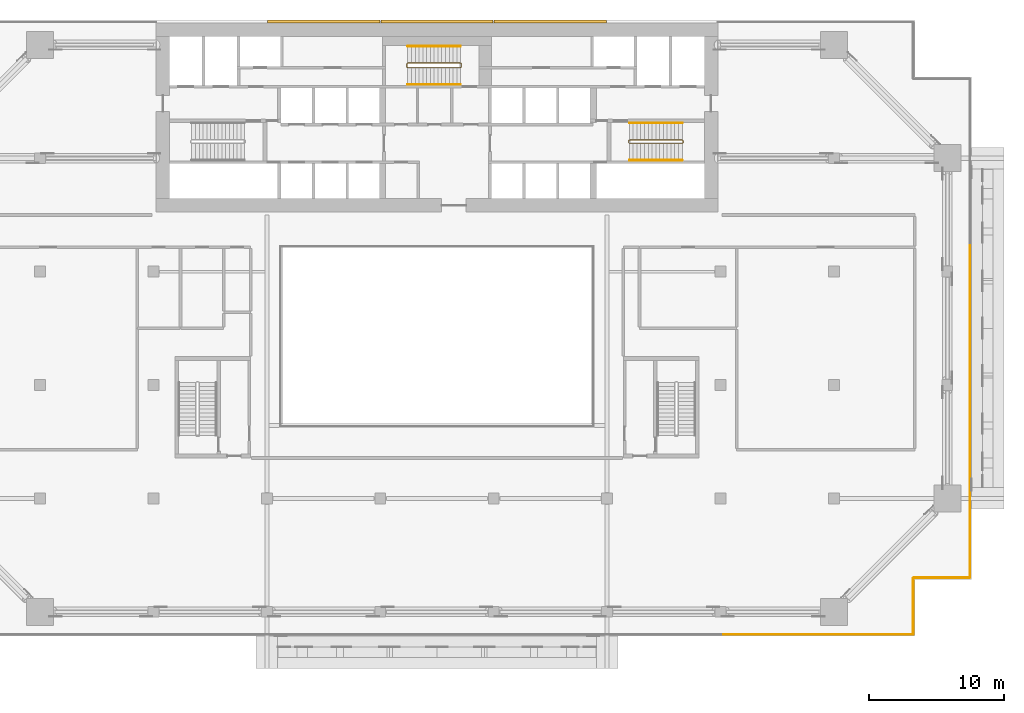
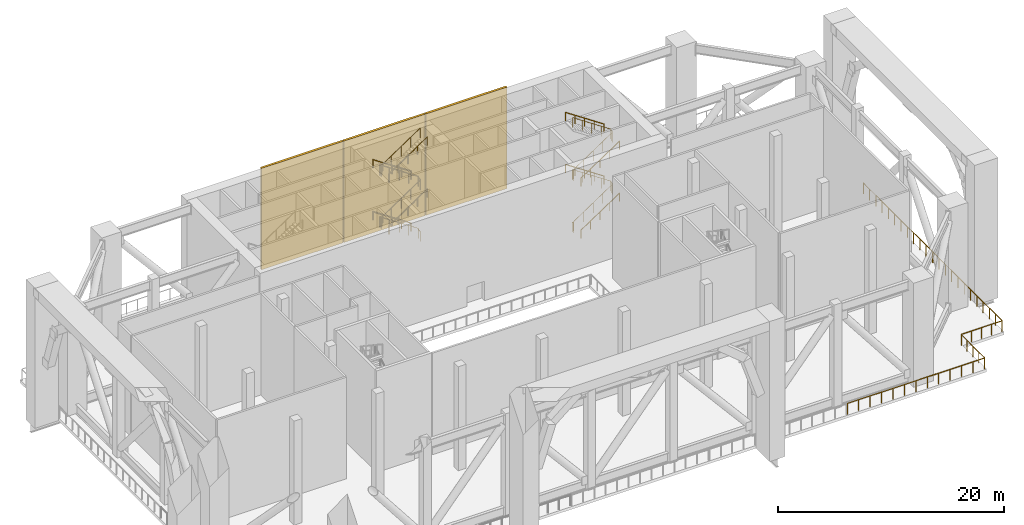
# One storey, part 18 of 19: 15 railings, 3 coverings.
"""IFC4 building model written with IfcOpenShell, lengths in metres."""

import ifcopenshell
import ifcopenshell.guid

model = None  # the IFC model being written
_history = None  # IfcOwnerHistory: only IFC2X3 demands one
_inside = {}  # id of a spatial element -> (the spatial element, [elements in it])
_under = {}  # id of a project, library or spatial element -> (it, [spatial elements below it])
_declared = {}  # id of a project -> (the project, [libraries it declares])
_typed = {}  # id of a type object -> (the type object, [elements of that type])
_made_of = {}  # id of a material, layer set ... -> (it, [elements and type objects made of it])


def new_model(schema):
    """Start an empty IFC model of exactly this schema.

    Asked for "IFC4X3", IfcOpenShell would pick the latest addendum, in which some entities
    have other attributes; the version numbers below select the first issue.
    IFC2X3 requires an IfcOwnerHistory on every rooted entity: one is made here for all.
    """
    global model, _history
    if schema == "IFC4X3":
        model = ifcopenshell.file(schema_version=(4, 3, 0, 0))
    else:
        model = ifcopenshell.file(schema=schema)
    _inside.clear()
    _under.clear()
    _declared.clear()
    _typed.clear()
    _made_of.clear()
    _history = None
    if model.schema == "IFC2X3":
        org = make("IfcOrganization", Name="unknown")
        user = make(
            "IfcPersonAndOrganization",
            ThePerson=make("IfcPerson", FamilyName="unknown"),
            TheOrganization=org,
        )
        app = make(
            "IfcApplication",
            ApplicationDeveloper=org,
            Version="unknown",
            ApplicationFullName="unknown",
            ApplicationIdentifier="unknown",
        )
        _history = make(
            "IfcOwnerHistory",
            OwningUser=user,
            OwningApplication=app,
            ChangeAction="ADDED",
            CreationDate=0,
        )
    return model


def make(cls, **values):
    """One entity of the class cls with the attributes given. An attribute that is None is left unset."""
    return model.create_entity(
        cls, **{name: value for name, value in values.items() if value is not None}
    )


def rooted(cls, **values):
    """An entity with a GlobalId (a new one), such as an element, a storey or a relation."""
    return make(cls, GlobalId=ifcopenshell.guid.new(), OwnerHistory=_history, **values)


def si_unit(unit_type, name, prefix=None):
    """IfcSIUnit, for example si_unit("LENGTHUNIT", "METRE", prefix="MILLI")."""
    return make("IfcSIUnit", UnitType=unit_type, Prefix=prefix, Name=name)


def assignment(units):
    """IfcUnitAssignment: the units of a project."""
    return None if units is None else make("IfcUnitAssignment", Units=units)


def point(xyz):
    """IfcCartesianPoint."""
    return None if xyz is None else make("IfcCartesianPoint", Coordinates=xyz)


def direction(xyz):
    """IfcDirection."""
    return None if xyz is None else make("IfcDirection", DirectionRatios=xyz)


def frame(location, z_axis=None, x_axis=None):
    """IfcAxis2Placement3D, a coordinate frame: its origin and axes. An axis left out is left unset."""
    return make(
        "IfcAxis2Placement3D",
        Location=point(location),
        Axis=direction(z_axis),
        RefDirection=direction(x_axis),
    )


def frame_2d(location, x_axis=None):
    """IfcAxis2Placement2D, a coordinate frame in the plane: its origin and x axis."""
    return make(
        "IfcAxis2Placement2D", Location=point(location), RefDirection=direction(x_axis)
    )


def origin():
    """The frame at (0, 0, 0) with its axes left unset."""
    return frame((0.0, 0.0, 0.0))


def origin_2d():
    """The frame at (0, 0) in the plane with its x axis left unset."""
    return frame_2d((0.0, 0.0))


def place(relative_to, where):
    """IfcLocalPlacement: puts the frame where relative to a parent placement (None: the world)."""
    return make(
        "IfcLocalPlacement", PlacementRelTo=relative_to, RelativePlacement=where
    )


def context(
    kind, dimensions, precision=None, world=None, true_north=None, identifier=None
):
    """IfcGeometricRepresentationContext, for example the 3D "Model" context."""
    return make(
        "IfcGeometricRepresentationContext",
        ContextIdentifier=identifier,
        ContextType=kind,
        CoordinateSpaceDimension=dimensions,
        Precision=precision,
        WorldCoordinateSystem=world,
        TrueNorth=true_north,
    )


def subcontext(parent, identifier, kind, view, scale=None):
    """IfcGeometricRepresentationSubContext, for example "Body" below "Model"."""
    return make(
        "IfcGeometricRepresentationSubContext",
        ContextIdentifier=identifier,
        ContextType=kind,
        ParentContext=parent,
        TargetScale=scale,
        TargetView=view,
    )


def project(units=None, contexts=None):
    """IfcProject with its units and contexts."""
    return rooted(
        "IfcProject",
        Name="project",
        RepresentationContexts=contexts,
        UnitsInContext=assignment(units),
    )


def spatial(cls, under=None, at=None, **own):
    """A site, building, storey or space (cls), placed at a placement, below another one or the project."""
    s = rooted(cls, ObjectPlacement=at, **own)
    if under is not None:
        _under.setdefault(under.id(), (under, []))[1].append(s)
    return s


def polyline(points):
    """IfcPolyline through the points."""
    return make("IfcPolyline", Points=[point(p) for p in points])


def profile(cls, at=None, kind="AREA", **sizes):
    """A parametric profile (cls). Its sizes go by their IFC names, for example OverallWidth=200.0."""
    return make(cls, ProfileType=kind, Position=at, **sizes)


def circle(**sizes):
    """IfcCircleProfileDef."""
    return profile("IfcCircleProfileDef", **sizes)


def outline(outer, holes=None, kind="AREA"):
    """IfcArbitraryClosedProfileDef: a profile drawn as a closed curve; with holes, ...WithVoids."""
    if holes is None:
        return make("IfcArbitraryClosedProfileDef", ProfileType=kind, OuterCurve=outer)
    return make(
        "IfcArbitraryProfileDefWithVoids",
        ProfileType=kind,
        OuterCurve=outer,
        InnerCurves=holes,
    )


def extrude(swept, where, along, depth):
    """IfcExtrudedAreaSolid: the profile swept, set in the frame where, extruded along a direction by depth."""
    return make(
        "IfcExtrudedAreaSolid",
        SweptArea=swept,
        Position=where,
        ExtrudedDirection=direction(along),
        Depth=depth,
    )


def shape(context_of_items, identifier, shape_type, items):
    """IfcShapeRepresentation: the items that make up one representation, for example the "Body"."""
    return make(
        "IfcShapeRepresentation",
        ContextOfItems=context_of_items,
        RepresentationIdentifier=identifier,
        RepresentationType=shape_type,
        Items=items,
    )


def material(Name=None, Category=None):
    """IfcMaterial."""
    return make("IfcMaterial", Name=Name, Category=Category)


def layer(
    of_material, thickness, ventilated=None, Name=None, Category=None, Priority=None
):
    """IfcMaterialLayer: one layer of a wall or slab, of a material (None: an air gap)."""
    return make(
        "IfcMaterialLayer",
        Material=of_material,
        LayerThickness=thickness,
        IsVentilated=ventilated,
        Name=Name,
        Category=Category,
        Priority=Priority,
    )


def layer_set(layers, Name=None):
    """IfcMaterialLayerSet."""
    return make("IfcMaterialLayerSet", MaterialLayers=layers, LayerSetName=Name)


def made_of(thing, what):
    """Note that an element or type object is made of a material, layer set ...; save() writes the relation."""
    if what is not None:
        _made_of.setdefault(what.id(), (what, []))[1].append(thing)
    return thing


def type_object(cls, material=None, **own):
    """A type object (cls), such as IfcWallType, which elements share."""
    return made_of(rooted(cls, **own), material)


def element(
    cls,
    number,
    at=None,
    inside=None,
    cuts=None,
    type_object=None,
    material=None,
    context=None,
    identifier="Body",
    shape_type=None,
    held_by="IfcProductDefinitionShape",
    body=None,
    shapes=None,
    **own,
):
    """One element of the class cls, such as IfcWall. Its Tag is "e" and its number.

    at: its placement. inside: the storey or other place that contains it. cuts: it is an
    opening in that element (IfcRelVoidsElement). A single representation is given by context,
    identifier, shape_type and body (its items); several are given by shapes. held_by: the class
    of the entity that holds the representations. save() writes the other relations.
    """
    e = rooted(cls, Tag="e%d" % number, ObjectPlacement=at, **own)
    if body is not None:
        shapes = [shape(context, identifier, shape_type, body)]
    if shapes is not None:
        e.Representation = make(held_by, Representations=shapes)
    if inside is not None:
        _inside.setdefault(inside.id(), (inside, []))[1].append(e)
    if cuts is not None:
        rooted(
            "IfcRelVoidsElement", RelatingBuildingElement=cuts, RelatedOpeningElement=e
        )
    if type_object is not None:
        _typed.setdefault(type_object.id(), (type_object, []))[1].append(e)
    return made_of(e, material)


def aggregate(whole, parts):
    """IfcRelAggregates: a whole, such as a stair, and the parts it consists of."""
    return rooted("IfcRelAggregates", RelatingObject=whole, RelatedObjects=parts)


def save(model, path):
    """Write the relations noted so far, then the file.

    IfcRelAggregates (storeys below a building ...), IfcRelContainedInSpatialStructure (elements
    in a storey), IfcRelDefinesByType, IfcRelAssociatesMaterial and IfcRelDeclares: one each for
    every whole, place, type object, material and project.
    """
    for whole, parts in _under.values():
        aggregate(whole, parts)
    for where, things in _inside.values():
        rooted(
            "IfcRelContainedInSpatialStructure",
            RelatedElements=things,
            RelatingStructure=where,
        )
    for kind, things in _typed.values():
        rooted("IfcRelDefinesByType", RelatedObjects=things, RelatingType=kind)
    for what, things in _made_of.values():
        rooted("IfcRelAssociatesMaterial", RelatedObjects=things, RelatingMaterial=what)
    for by, libraries in _declared.values():
        rooted("IfcRelDeclares", RelatingContext=by, RelatedDefinitions=libraries)
    model.write(path)


model = new_model("IFC4")

# Units and contexts
model_context = context("Model", 3, precision=1e-05, world=origin(), true_north=direction((0.0, 1.0)))
body_context = subcontext(model_context, "Body", "Model", "MODEL_VIEW")
ifc_project = project(units=[si_unit("LENGTHUNIT", "METRE"), si_unit("AREAUNIT", "SQUARE_METRE"), si_unit("VOLUMEUNIT", "CUBIC_METRE"), si_unit("PLANEANGLEUNIT", "RADIAN"), si_unit("MASSUNIT", "GRAM", prefix="KILO")], contexts=[model_context])

# Site, building, storey
site_placement = place(None, origin())
site = spatial("IfcSite", under=ifc_project, at=site_placement, CompositionType="ELEMENT")
building_placement = place(site_placement, origin())
building = spatial("IfcBuilding", under=site, at=building_placement, Name="Saffron Gate Tower", CompositionType="ELEMENT")
storey_placement = place(building_placement, frame((0.0, 0.0, 84.0)))
storey = spatial("IfcBuildingStorey", under=building, at=storey_placement, Name="L20", CompositionType="ELEMENT", Elevation=84.0)

# Railings
ifc_material_1 = material(Name="Stainless steel posts and toughened glass infill", Category="steel")
railing_type_1 = type_object("IfcRailingType", Name="BAL1 balustrade 1200", PredefinedType="BALUSTRADE", material=ifc_material_1)
railing_1_placement = place(storey_placement, frame((108.80810546875, 30.1201171875, 0.0)))
element("IfcRailing", 1, at=railing_1_placement, inside=storey, type_object=railing_type_1, Name="GUARD portal deck edge", PredefinedType="BALUSTRADE", context=body_context, shape_type="SweptSolid", body=[
    extrude(circle(Radius=0.02392578125, at=origin_2d()), frame((0.0, 0.0, 1.17578125), z_axis=(1.0, 0.0, 0.0), x_axis=(0.0, 1.0, 0.0)), (0.0, 0.0, 1.0), 14.031982421875),
    extrude(circle(Radius=0.02099609375, at=origin_2d()), origin(), (0.0, 0.0, 1.0), 1.15185546875),
    extrude(circle(Radius=0.02099609375, at=origin_2d()), frame((1.16943359375, 0.0, 0.0)), (0.0, 0.0, 1.0), 1.15185546875),
    extrude(circle(Radius=0.02099609375, at=origin_2d()), frame((2.338623046875, 0.0, 0.0)), (0.0, 0.0, 1.0), 1.15185546875),
    extrude(circle(Radius=0.02099609375, at=origin_2d()), frame((3.508056640625, 0.0, 0.0)), (0.0, 0.0, 1.0), 1.15185546875),
    extrude(circle(Radius=0.02099609375, at=origin_2d()), frame((4.67724609375, 0.0, 0.0)), (0.0, 0.0, 1.0), 1.15185546875),
    extrude(circle(Radius=0.02099609375, at=origin_2d()), frame((5.8466796875, 0.0, 0.0)), (0.0, 0.0, 1.0), 1.15185546875),
    extrude(circle(Radius=0.02099609375, at=origin_2d()), frame((7.01611328125, 0.0, 0.0)), (0.0, 0.0, 1.0), 1.15185546875),
    extrude(circle(Radius=0.02099609375, at=origin_2d()), frame((8.185302734375, 0.0, 0.0)), (0.0, 0.0, 1.0), 1.15185546875),
    extrude(circle(Radius=0.02099609375, at=origin_2d()), frame((9.354736328125, 0.0, 0.0)), (0.0, 0.0, 1.0), 1.15185546875),
    extrude(circle(Radius=0.02099609375, at=origin_2d()), frame((10.52392578125, 0.0, 0.0)), (0.0, 0.0, 1.0), 1.15185546875),
    extrude(circle(Radius=0.02099609375, at=origin_2d()), frame((11.693359375, 0.0, 0.0)), (0.0, 0.0, 1.0), 1.15185546875),
    extrude(circle(Radius=0.02099609375, at=origin_2d()), frame((12.862548828125, 0.0, 0.0)), (0.0, 0.0, 1.0), 1.15185546875),
    extrude(circle(Radius=0.02099609375, at=origin_2d()), frame((14.031982421875, 0.0, 0.0)), (0.0, 0.0, 1.0), 1.15185546875),
])
railing_2_placement = place(storey_placement, frame((122.8798828125, 30.159912109375, 0.0)))
element("IfcRailing", 2, at=railing_2_placement, inside=storey, type_object=railing_type_1, Name="GUARD portal deck edge", PredefinedType="BALUSTRADE", context=body_context, shape_type="SweptSolid", body=[
    extrude(circle(Radius=0.02392578125, at=origin_2d()), frame((0.0, 0.0, 1.17578125), z_axis=(0.0, 1.0, 0.0), x_axis=(-1.0, 0.0, 0.0)), (0.0, 0.0, 1.0), 4.1201171875),
    extrude(circle(Radius=0.02099609375, at=origin_2d()), origin(), (0.0, 0.0, 1.0), 1.15185546875),
    extrude(circle(Radius=0.02099609375, at=origin_2d()), frame((0.0, 1.030029296875, 0.0)), (0.0, 0.0, 1.0), 1.15185546875),
    extrude(circle(Radius=0.02099609375, at=origin_2d()), frame((0.0, 2.06005859375, 0.0)), (0.0, 0.0, 1.0), 1.15185546875),
    extrude(circle(Radius=0.02099609375, at=origin_2d()), frame((0.0, 3.090087890625, 0.0)), (0.0, 0.0, 1.0), 1.15185546875),
    extrude(circle(Radius=0.02099609375, at=origin_2d()), frame((0.0, 4.1201171875, 0.0)), (0.0, 0.0, 1.0), 1.15185546875),
])
railing_3_placement = place(storey_placement, frame((122.919921875, 34.320068359375, 0.0)))
element("IfcRailing", 3, at=railing_3_placement, inside=storey, type_object=railing_type_1, Name="GUARD portal deck edge", PredefinedType="BALUSTRADE", context=body_context, shape_type="SweptSolid", body=[
    extrude(circle(Radius=0.02392578125, at=origin_2d()), frame((0.0, 0.0, 1.17578125), z_axis=(1.0, 0.0, 0.0), x_axis=(0.0, 1.0, 0.0)), (0.0, 0.0, 1.0), 4.1201171875),
    extrude(circle(Radius=0.02099609375, at=origin_2d()), origin(), (0.0, 0.0, 1.0), 1.15185546875),
    extrude(circle(Radius=0.02099609375, at=origin_2d()), frame((1.030029296875, 0.0, 0.0)), (0.0, 0.0, 1.0), 1.15185546875),
    extrude(circle(Radius=0.02099609375, at=origin_2d()), frame((2.06005859375, 0.0, 0.0)), (0.0, 0.0, 1.0), 1.15185546875),
    extrude(circle(Radius=0.02099609375, at=origin_2d()), frame((3.090087890625, 0.0, 0.0)), (0.0, 0.0, 1.0), 1.15185546875),
    extrude(circle(Radius=0.02099609375, at=origin_2d()), frame((4.1201171875, 0.0, 0.0)), (0.0, 0.0, 1.0), 1.15185546875),
])
for number, where, name in (
    (4, (127.080078125, 34.360107421875, 0.0), "GUARD portal deck edge"),
    (5, (127.080078125, 46.679931640625, 0.0), "GUARD portal deck edge"),
):
    element("IfcRailing", number, at=place(storey_placement, frame(where)), inside=storey, type_object=railing_type_1, Name=name, PredefinedType="BALUSTRADE", context=body_context, shape_type="SweptSolid", body=[
        extrude(circle(Radius=0.02392578125, at=origin_2d()), frame((0.0, 0.0, 1.17578125), z_axis=(0.0, 1.0, 0.0), x_axis=(-1.0, 0.0, 0.0)), (0.0, 0.0, 1.0), 12.239990234375),
        extrude(circle(Radius=0.02099609375, at=origin_2d()), origin(), (0.0, 0.0, 1.0), 1.15185546875),
        extrude(circle(Radius=0.02099609375, at=origin_2d()), frame((0.0, 1.11279296875, 0.0)), (0.0, 0.0, 1.0), 1.15185546875),
        extrude(circle(Radius=0.02099609375, at=origin_2d()), frame((0.0, 2.225341796875, 0.0)), (0.0, 0.0, 1.0), 1.15185546875),
        extrude(circle(Radius=0.02099609375, at=origin_2d()), frame((0.0, 3.338134765625, 0.0)), (0.0, 0.0, 1.0), 1.15185546875),
        extrude(circle(Radius=0.02099609375, at=origin_2d()), frame((0.0, 4.450927734375, 0.0)), (0.0, 0.0, 1.0), 1.15185546875),
        extrude(circle(Radius=0.02099609375, at=origin_2d()), frame((0.0, 5.563720703125, 0.0)), (0.0, 0.0, 1.0), 1.15185546875),
        extrude(circle(Radius=0.02099609375, at=origin_2d()), frame((0.0, 6.67626953125, 0.0)), (0.0, 0.0, 1.0), 1.15185546875),
        extrude(circle(Radius=0.02099609375, at=origin_2d()), frame((0.0, 7.7890625, 0.0)), (0.0, 0.0, 1.0), 1.15185546875),
        extrude(circle(Radius=0.02099609375, at=origin_2d()), frame((0.0, 8.90185546875, 0.0)), (0.0, 0.0, 1.0), 1.15185546875),
        extrude(circle(Radius=0.02099609375, at=origin_2d()), frame((0.0, 10.0146484375, 0.0)), (0.0, 0.0, 1.0), 1.15185546875),
        extrude(circle(Radius=0.02099609375, at=origin_2d()), frame((0.0, 11.127197265625, 0.0)), (0.0, 0.0, 1.0), 1.15185546875),
        extrude(circle(Radius=0.02099609375, at=origin_2d()), frame((0.0, 12.239990234375, 0.0)), (0.0, 0.0, 1.0), 1.15185546875),
    ])

# Coverings
ifc_material_2 = material(Name="Ceramic-printed bronze insulated panel")
ifc_layer = layer(ifc_material_2, 0.239990234375)
ifc_layer_set = layer_set([ifc_layer], Name="CLD2 ceramic-printed cladding panel 240")
covering_type = type_object("IfcCoveringType", Name="CLD2 ceramic-printed cladding panel 240", PredefinedType="CLADDING", material=ifc_layer_set)
covering_1_placement = place(storey_placement, origin())
element("IfcCovering", 6, at=covering_1_placement, inside=storey, type_object=covering_type, Name="CLADDING ceramic-printed panel", PredefinedType="CLADDING", context=body_context, shape_type="SweptSolid", body=[
    extrude(outline(polyline([(100.159912109375, 75.639892578125), (91.840087890625, 75.639892578125), (91.840087890625, 75.39990234375), (100.159912109375, 75.39990234375), (100.159912109375, 75.639892578125)])), origin(), (0.0, 0.0, 1.0), 10.969970703125),
])
covering_2_placement = place(storey_placement, origin())
element("IfcCovering", 7, at=covering_2_placement, inside=storey, type_object=covering_type, Name="CLADDING ceramic-printed panel", PredefinedType="CLADDING", context=body_context, shape_type="SweptSolid", body=[
    extrude(outline(polyline([(91.760009765625, 75.639892578125), (83.43994140625, 75.639892578125), (83.43994140625, 75.39990234375), (91.760009765625, 75.39990234375), (91.760009765625, 75.639892578125)])), origin(), (0.0, 0.0, 1.0), 10.969970703125),
])
covering_3_placement = place(storey_placement, origin())
element("IfcCovering", 8, at=covering_3_placement, inside=storey, type_object=covering_type, Name="CLADDING ceramic-printed panel", PredefinedType="CLADDING", context=body_context, shape_type="SweptSolid", body=[
    extrude(outline(polyline([(83.360107421875, 75.639892578125), (75.0400390625, 75.639892578125), (75.0400390625, 75.39990234375), (83.360107421875, 75.39990234375), (83.360107421875, 75.639892578125)])), origin(), (0.0, 0.0, 1.0), 10.969970703125),
])

# Railings
ifc_material_3 = material(Name="Stainless steel and laminated glass", Category="steel")
railing_type_2 = type_object("IfcRailingType", Name="CR1 Stair guard 1100", PredefinedType="GUARDRAIL", material=ifc_material_3)
railing_4_placement = place(storey_placement, frame((101.800048828125, 66.699951171875, 0.0)))
element("IfcRailing", 9, at=railing_4_placement, inside=storey, type_object=railing_type_2, Name="L20 ST-B stair guard 1", PredefinedType="GUARDRAIL", context=body_context, shape_type="SweptSolid", body=[
    extrude(circle(Radius=0.02392578125, at=origin_2d()), frame((0.0, 0.0, 1.076171875), z_axis=(0.0, -1.0, 0.0), x_axis=(1.0, 0.0, 0.0)), (0.0, 0.0, 1.0), 0.14990234375),
    extrude(circle(Radius=0.02392578125, at=origin_2d()), frame((0.0, -0.14990234375, 1.076171875), z_axis=(0.249726431254, -0.249726431254, 0.935560483917), x_axis=(0.707106781187, 0.707106781187, 0.0)), (0.0, 0.0, 1.0), 0.200439453125),
    extrude(circle(Radius=0.02392578125, at=origin_2d()), frame((0.050048828125, -0.199951171875, 1.263671875), z_axis=(0.830902050051, 0.0, 0.556418712142), x_axis=(0.0, 1.0, 0.0)), (0.0, 0.0, 1.0), 4.7177734375),
    extrude(circle(Radius=0.02392578125, at=origin_2d()), frame((3.969970703125, -0.199951171875, 3.888671875), z_axis=(0.707106781187, 0.707106781187, 0.0), x_axis=(-0.707106781187, 0.707106781187, 0.0)), (0.0, 0.0, 1.0), 0.07080078125),
    extrude(circle(Radius=0.02392578125, at=origin_2d()), frame((4.02001953125, -0.14990234375, 3.888671875), z_axis=(0.0, 1.0, 0.0), x_axis=(-1.0, 0.0, 0.0)), (0.0, 0.0, 1.0), 0.14990234375),
    extrude(circle(Radius=0.02392578125, at=origin_2d()), frame((4.02001953125, 0.0, 3.888671875), z_axis=(-0.249726431254, 0.249726431254, 0.935560483917), x_axis=(-0.707106781187, -0.707106781187, 0.0)), (0.0, 0.0, 1.0), 0.200439453125),
    extrude(circle(Radius=0.02392578125, at=origin_2d()), frame((3.969970703125, 0.050048828125, 4.076171875), z_axis=(-0.830902050051, 0.0, 0.556418712142), x_axis=(0.0, -1.0, 0.0)), (0.0, 0.0, 1.0), 4.7177734375),
    extrude(circle(Radius=0.02392578125, at=origin_2d()), frame((0.050048828125, 0.050048828125, 6.701171875), z_axis=(-0.707106781187, -0.707106781187, 0.0), x_axis=(0.707106781187, -0.707106781187, 0.0)), (0.0, 0.0, 1.0), 0.07080078125),
    extrude(circle(Radius=0.02392578125, at=origin_2d()), frame((0.0, 0.0, 6.701171875), z_axis=(0.0, -1.0, 0.0), x_axis=(1.0, 0.0, 0.0)), (0.0, 0.0, 1.0), 0.14990234375),
    extrude(circle(Radius=0.02392578125, at=origin_2d()), frame((0.0, -0.14990234375, 6.701171875), z_axis=(0.249726431254, -0.249726431254, 0.935560483917), x_axis=(0.707106781187, 0.707106781187, 0.0)), (0.0, 0.0, 1.0), 0.200439453125),
    extrude(circle(Radius=0.02392578125, at=origin_2d()), frame((0.050048828125, -0.199951171875, 6.888671875), z_axis=(0.830902050051, 0.0, 0.556418712142), x_axis=(0.0, 1.0, 0.0)), (0.0, 0.0, 1.0), 4.7177734375),
    extrude(circle(Radius=0.02392578125, at=origin_2d()), frame((3.969970703125, -0.199951171875, 9.513671875), z_axis=(0.707106781187, 0.707106781187, 0.0), x_axis=(-0.707106781187, 0.707106781187, 0.0)), (0.0, 0.0, 1.0), 0.07080078125),
    extrude(circle(Radius=0.02392578125, at=origin_2d()), frame((4.02001953125, -0.14990234375, 9.513671875), z_axis=(0.0, 1.0, 0.0), x_axis=(-1.0, 0.0, 0.0)), (0.0, 0.0, 1.0), 0.14990234375),
    extrude(circle(Radius=0.02392578125, at=origin_2d()), frame((4.02001953125, 0.0, 9.513671875), z_axis=(-0.249726431254, 0.249726431254, 0.935560483917), x_axis=(-0.707106781187, -0.707106781187, 0.0)), (0.0, 0.0, 1.0), 0.200439453125),
    extrude(circle(Radius=0.02392578125, at=origin_2d()), frame((3.969970703125, 0.050048828125, 9.701171875), z_axis=(-0.830902050051, 0.0, 0.556418712142), x_axis=(0.0, -1.0, 0.0)), (0.0, 0.0, 1.0), 4.7177734375),
    extrude(circle(Radius=0.02099609375, at=origin_2d()), origin(), (0.0, 0.0, 1.0), 1.052001953125),
    extrude(circle(Radius=0.02099609375, at=origin_2d()), frame((0.0, -0.14990234375, 0.0)), (0.0, 0.0, 1.0), 1.052001953125),
    extrude(circle(Radius=0.02099609375, at=origin_2d()), frame((0.050048828125, -0.199951171875, 0.1875)), (0.0, 0.0, 1.0), 1.052001953125),
    extrude(circle(Radius=0.02099609375, at=origin_2d()), frame((1.030029296875, -0.199951171875, 0.84375)), (0.0, 0.0, 1.0), 1.052001953125),
    extrude(circle(Radius=0.02099609375, at=origin_2d()), frame((2.010009765625, -0.199951171875, 1.5)), (0.0, 0.0, 1.0), 1.052001953125),
    extrude(circle(Radius=0.02099609375, at=origin_2d()), frame((2.989990234375, -0.199951171875, 2.15625)), (0.0, 0.0, 1.0), 1.052001953125),
    extrude(circle(Radius=0.02099609375, at=origin_2d()), frame((3.969970703125, -0.199951171875, 2.8125)), (0.0, 0.0, 1.0), 1.052001953125),
    extrude(circle(Radius=0.02099609375, at=origin_2d()), frame((4.02001953125, -0.14990234375, 2.8125)), (0.0, 0.0, 1.0), 1.052001953125),
    extrude(circle(Radius=0.02099609375, at=origin_2d()), frame((4.02001953125, 0.0, 2.8125)), (0.0, 0.0, 1.0), 1.052001953125),
    extrude(circle(Radius=0.02099609375, at=origin_2d()), frame((3.969970703125, 0.050048828125, 3.0)), (0.0, 0.0, 1.0), 1.052001953125),
    extrude(circle(Radius=0.02099609375, at=origin_2d()), frame((2.989990234375, 0.050048828125, 3.65625)), (0.0, 0.0, 1.0), 1.052001953125),
    extrude(circle(Radius=0.02099609375, at=origin_2d()), frame((2.010009765625, 0.050048828125, 4.3125)), (0.0, 0.0, 1.0), 1.052001953125),
    extrude(circle(Radius=0.02099609375, at=origin_2d()), frame((1.030029296875, 0.050048828125, 4.96875)), (0.0, 0.0, 1.0), 1.052001953125),
    extrude(circle(Radius=0.02099609375, at=origin_2d()), frame((0.050048828125, 0.050048828125, 5.625)), (0.0, 0.0, 1.0), 1.052001953125),
    extrude(circle(Radius=0.02099609375, at=origin_2d()), frame((0.0, 0.0, 5.625)), (0.0, 0.0, 1.0), 1.052001953125),
    extrude(circle(Radius=0.02099609375, at=origin_2d()), frame((0.0, -0.14990234375, 5.625)), (0.0, 0.0, 1.0), 1.052001953125),
    extrude(circle(Radius=0.02099609375, at=origin_2d()), frame((0.050048828125, -0.199951171875, 5.8125)), (0.0, 0.0, 1.0), 1.052001953125),
    extrude(circle(Radius=0.02099609375, at=origin_2d()), frame((1.030029296875, -0.199951171875, 6.46875)), (0.0, 0.0, 1.0), 1.052001953125),
    extrude(circle(Radius=0.02099609375, at=origin_2d()), frame((2.010009765625, -0.199951171875, 7.125)), (0.0, 0.0, 1.0), 1.052001953125),
    extrude(circle(Radius=0.02099609375, at=origin_2d()), frame((2.989990234375, -0.199951171875, 7.78125)), (0.0, 0.0, 1.0), 1.052001953125),
    extrude(circle(Radius=0.02099609375, at=origin_2d()), frame((3.969970703125, -0.199951171875, 8.4375)), (0.0, 0.0, 1.0), 1.052001953125),
    extrude(circle(Radius=0.02099609375, at=origin_2d()), frame((4.02001953125, -0.14990234375, 8.4375)), (0.0, 0.0, 1.0), 1.052001953125),
    extrude(circle(Radius=0.02099609375, at=origin_2d()), frame((4.02001953125, 0.0, 8.4375)), (0.0, 0.0, 1.0), 1.052001953125),
    extrude(circle(Radius=0.02099609375, at=origin_2d()), frame((3.969970703125, 0.050048828125, 8.625)), (0.0, 0.0, 1.0), 1.052001953125),
    extrude(circle(Radius=0.02099609375, at=origin_2d()), frame((2.989990234375, 0.050048828125, 9.28125)), (0.0, 0.0, 1.0), 1.052001953125),
    extrude(circle(Radius=0.02099609375, at=origin_2d()), frame((2.010009765625, 0.050048828125, 9.9375)), (0.0, 0.0, 1.0), 1.052001953125),
    extrude(circle(Radius=0.02099609375, at=origin_2d()), frame((1.030029296875, 0.050048828125, 10.59375)), (0.0, 0.0, 1.0), 1.052001953125),
    extrude(circle(Radius=0.02099609375, at=origin_2d()), frame((0.050048828125, 0.050048828125, 11.25)), (0.0, 0.0, 1.0), 1.052001953125),
])
railing_5_placement = place(storey_placement, frame((89.39990234375, 72.14990234375, 0.0)))
element("IfcRailing", 10, at=railing_5_placement, inside=storey, type_object=railing_type_2, Name="L20 ST-C stair guard 1", PredefinedType="GUARDRAIL", context=body_context, shape_type="SweptSolid", body=[
    extrude(circle(Radius=0.02392578125, at=origin_2d()), frame((0.0, 0.0, 1.076171875), z_axis=(0.0, 1.0, 0.0), x_axis=(-1.0, 0.0, 0.0)), (0.0, 0.0, 1.0), 0.25),
    extrude(circle(Radius=0.02392578125, at=origin_2d()), frame((0.0, 0.25, 1.076171875), z_axis=(-0.248583702486, 0.249802250048, 0.935844527007), x_axis=(-0.708833529934, -0.705375805398, 0.0)), (0.0, 0.0, 1.0), 0.200439453125),
    extrude(circle(Radius=0.02392578125, at=origin_2d()), frame((-0.0498046875, 0.300048828125, 1.263671875), z_axis=(-0.830918070988, 0.0, 0.556394787274), x_axis=(0.0, -1.0, 0.0)), (0.0, 0.0, 1.0), 4.7177734375),
    extrude(circle(Radius=0.02392578125, at=origin_2d()), frame((-3.969970703125, 0.300048828125, 3.888671875), z_axis=(-0.707106781187, -0.707106781187, 0.0), x_axis=(0.707106781187, -0.707106781187, 0.0)), (0.0, 0.0, 1.0), 0.07080078125),
    extrude(circle(Radius=0.02392578125, at=origin_2d()), frame((-4.02001953125, 0.25, 3.888671875), z_axis=(0.0, -1.0, 0.0), x_axis=(1.0, 0.0, 0.0)), (0.0, 0.0, 1.0), 0.25),
    extrude(circle(Radius=0.02392578125, at=origin_2d()), frame((-4.02001953125, 0.0, 3.888671875), z_axis=(0.249802250048, -0.248583702486, 0.935844527007), x_axis=(0.705375805398, 0.708833529934, 0.0)), (0.0, 0.0, 1.0), 0.200439453125),
    extrude(circle(Radius=0.02392578125, at=origin_2d()), frame((-3.969970703125, -0.0498046875, 4.076171875), z_axis=(0.830918070988, 0.0, 0.556394787274), x_axis=(0.0, 1.0, 0.0)), (0.0, 0.0, 1.0), 4.7177734375),
    extrude(circle(Radius=0.02392578125, at=origin_2d()), frame((-0.0498046875, -0.0498046875, 6.701171875), z_axis=(0.707106781187, 0.707106781187, 0.0), x_axis=(-0.707106781187, 0.707106781187, 0.0)), (0.0, 0.0, 1.0), 0.0703125),
    extrude(circle(Radius=0.02392578125, at=origin_2d()), frame((0.0, 0.0, 6.701171875), z_axis=(0.0, 1.0, 0.0), x_axis=(-1.0, 0.0, 0.0)), (0.0, 0.0, 1.0), 0.25),
    extrude(circle(Radius=0.02392578125, at=origin_2d()), frame((0.0, 0.25, 6.701171875), z_axis=(-0.248583702486, 0.249802250048, 0.935844527007), x_axis=(-0.708833529934, -0.705375805398, 0.0)), (0.0, 0.0, 1.0), 0.200439453125),
    extrude(circle(Radius=0.02392578125, at=origin_2d()), frame((-0.0498046875, 0.300048828125, 6.888671875), z_axis=(-0.830918070988, 0.0, 0.556394787274), x_axis=(0.0, -1.0, 0.0)), (0.0, 0.0, 1.0), 4.7177734375),
    extrude(circle(Radius=0.02392578125, at=origin_2d()), frame((-3.969970703125, 0.300048828125, 9.513671875), z_axis=(-0.707106781187, -0.707106781187, 0.0), x_axis=(0.707106781187, -0.707106781187, 0.0)), (0.0, 0.0, 1.0), 0.07080078125),
    extrude(circle(Radius=0.02392578125, at=origin_2d()), frame((-4.02001953125, 0.25, 9.513671875), z_axis=(0.0, -1.0, 0.0), x_axis=(1.0, 0.0, 0.0)), (0.0, 0.0, 1.0), 0.25),
    extrude(circle(Radius=0.02392578125, at=origin_2d()), frame((-4.02001953125, 0.0, 9.513671875), z_axis=(0.249802250048, -0.248583702486, 0.935844527007), x_axis=(0.705375805398, 0.708833529934, 0.0)), (0.0, 0.0, 1.0), 0.200439453125),
    extrude(circle(Radius=0.02392578125, at=origin_2d()), frame((-3.969970703125, -0.0498046875, 9.701171875), z_axis=(0.830918070988, 0.0, 0.556394787274), x_axis=(0.0, 1.0, 0.0)), (0.0, 0.0, 1.0), 4.7177734375),
    extrude(circle(Radius=0.02099609375, at=origin_2d()), origin(), (0.0, 0.0, 1.0), 1.052001953125),
    extrude(circle(Radius=0.02099609375, at=origin_2d()), frame((0.0, 0.25, 0.0)), (0.0, 0.0, 1.0), 1.052001953125),
    extrude(circle(Radius=0.02099609375, at=origin_2d()), frame((-0.0498046875, 0.300048828125, 0.1875)), (0.0, 0.0, 1.0), 1.052001953125),
    extrude(circle(Radius=0.02099609375, at=origin_2d()), frame((-1.02978515625, 0.300048828125, 0.84375)), (0.0, 0.0, 1.0), 1.052001953125),
    extrude(circle(Radius=0.02099609375, at=origin_2d()), frame((-2.009765625, 0.300048828125, 1.5)), (0.0, 0.0, 1.0), 1.052001953125),
    extrude(circle(Radius=0.02099609375, at=origin_2d()), frame((-2.989990234375, 0.300048828125, 2.15625)), (0.0, 0.0, 1.0), 1.052001953125),
    extrude(circle(Radius=0.02099609375, at=origin_2d()), frame((-3.969970703125, 0.300048828125, 2.8125)), (0.0, 0.0, 1.0), 1.052001953125),
    extrude(circle(Radius=0.02099609375, at=origin_2d()), frame((-4.02001953125, 0.25, 2.8125)), (0.0, 0.0, 1.0), 1.052001953125),
    extrude(circle(Radius=0.02099609375, at=origin_2d()), frame((-4.02001953125, 0.0, 2.8125)), (0.0, 0.0, 1.0), 1.052001953125),
    extrude(circle(Radius=0.02099609375, at=origin_2d()), frame((-3.969970703125, -0.0498046875, 3.0)), (0.0, 0.0, 1.0), 1.052001953125),
    extrude(circle(Radius=0.02099609375, at=origin_2d()), frame((-2.989990234375, -0.0498046875, 3.65625)), (0.0, 0.0, 1.0), 1.052001953125),
    extrude(circle(Radius=0.02099609375, at=origin_2d()), frame((-2.009765625, -0.0498046875, 4.3125)), (0.0, 0.0, 1.0), 1.052001953125),
    extrude(circle(Radius=0.02099609375, at=origin_2d()), frame((-1.02978515625, -0.0498046875, 4.96875)), (0.0, 0.0, 1.0), 1.052001953125),
    extrude(circle(Radius=0.02099609375, at=origin_2d()), frame((-0.0498046875, -0.0498046875, 5.625)), (0.0, 0.0, 1.0), 1.052001953125),
    extrude(circle(Radius=0.02099609375, at=origin_2d()), frame((0.0, 0.0, 5.625)), (0.0, 0.0, 1.0), 1.052001953125),
    extrude(circle(Radius=0.02099609375, at=origin_2d()), frame((0.0, 0.25, 5.625)), (0.0, 0.0, 1.0), 1.052001953125),
    extrude(circle(Radius=0.02099609375, at=origin_2d()), frame((-0.0498046875, 0.300048828125, 5.8125)), (0.0, 0.0, 1.0), 1.052001953125),
    extrude(circle(Radius=0.02099609375, at=origin_2d()), frame((-1.02978515625, 0.300048828125, 6.46875)), (0.0, 0.0, 1.0), 1.052001953125),
    extrude(circle(Radius=0.02099609375, at=origin_2d()), frame((-2.009765625, 0.300048828125, 7.125)), (0.0, 0.0, 1.0), 1.052001953125),
    extrude(circle(Radius=0.02099609375, at=origin_2d()), frame((-2.989990234375, 0.300048828125, 7.78125)), (0.0, 0.0, 1.0), 1.052001953125),
    extrude(circle(Radius=0.02099609375, at=origin_2d()), frame((-3.969970703125, 0.300048828125, 8.4375)), (0.0, 0.0, 1.0), 1.052001953125),
    extrude(circle(Radius=0.02099609375, at=origin_2d()), frame((-4.02001953125, 0.25, 8.4375)), (0.0, 0.0, 1.0), 1.052001953125),
    extrude(circle(Radius=0.02099609375, at=origin_2d()), frame((-4.02001953125, 0.0, 8.4375)), (0.0, 0.0, 1.0), 1.052001953125),
    extrude(circle(Radius=0.02099609375, at=origin_2d()), frame((-3.969970703125, -0.0498046875, 8.625)), (0.0, 0.0, 1.0), 1.052001953125),
    extrude(circle(Radius=0.02099609375, at=origin_2d()), frame((-2.989990234375, -0.0498046875, 9.28125)), (0.0, 0.0, 1.0), 1.052001953125),
    extrude(circle(Radius=0.02099609375, at=origin_2d()), frame((-2.009765625, -0.0498046875, 9.9375)), (0.0, 0.0, 1.0), 1.052001953125),
    extrude(circle(Radius=0.02099609375, at=origin_2d()), frame((-1.02978515625, -0.0498046875, 10.59375)), (0.0, 0.0, 1.0), 1.052001953125),
    extrude(circle(Radius=0.02099609375, at=origin_2d()), frame((-0.0498046875, -0.0498046875, 11.25)), (0.0, 0.0, 1.0), 1.052001953125),
])
ifc_material_4 = material(Name="Stainless steel", Category="steel")
railing_type_3 = type_object("IfcRailingType", Name="CR2 Stair handrail 900", PredefinedType="HANDRAIL", material=ifc_material_4)
railing_6_placement = place(storey_placement, frame((101.85009765625, 65.25, 0.1875)))
element("IfcRailing", 11, at=railing_6_placement, inside=storey, type_object=railing_type_3, Name="L20 ST-B stair handrail 1", PredefinedType="HANDRAIL", context=body_context, shape_type="SweptSolid", body=[
    extrude(circle(Radius=0.02392578125, at=origin_2d()), frame((0.0, 0.0, 0.8759765625), z_axis=(0.830902050051, 0.0, 0.556418712142), x_axis=(0.0, 1.0, 0.0)), (0.0, 0.0, 1.0), 4.7177734375),
    extrude(circle(Radius=0.02099609375, at=origin_2d()), origin(), (0.0, 0.0, 1.0), 0.851806640625),
    extrude(circle(Radius=0.02099609375, at=origin_2d()), frame((0.97998046875, 0.0, 0.65625)), (0.0, 0.0, 1.0), 0.851806640625),
    extrude(circle(Radius=0.02099609375, at=origin_2d()), frame((1.9599609375, 0.0, 1.3125)), (0.0, 0.0, 1.0), 0.851806640625),
    extrude(circle(Radius=0.02099609375, at=origin_2d()), frame((2.93994140625, 0.0, 1.96875)), (0.0, 0.0, 1.0), 0.851806640625),
    extrude(circle(Radius=0.02099609375, at=origin_2d()), frame((3.919921875, 0.0, 2.625)), (0.0, 0.0, 1.0), 0.851806640625),
])
railing_7_placement = place(storey_placement, frame((105.77001953125, 68.0, 3.0)))
element("IfcRailing", 12, at=railing_7_placement, inside=storey, type_object=railing_type_3, Name="L20 ST-B stair handrail 2", PredefinedType="HANDRAIL", context=body_context, shape_type="SweptSolid", body=[
    extrude(circle(Radius=0.02392578125, at=origin_2d()), frame((0.0, 0.0, 0.8759765625), z_axis=(-0.830902050051, 0.0, 0.556418712142), x_axis=(0.0, -1.0, 0.0)), (0.0, 0.0, 1.0), 4.7177734375),
    extrude(circle(Radius=0.02099609375, at=origin_2d()), origin(), (0.0, 0.0, 1.0), 0.851806640625),
    extrude(circle(Radius=0.02099609375, at=origin_2d()), frame((-0.97998046875, 0.0, 0.65625)), (0.0, 0.0, 1.0), 0.851806640625),
    extrude(circle(Radius=0.02099609375, at=origin_2d()), frame((-1.9599609375, 0.0, 1.3125)), (0.0, 0.0, 1.0), 0.851806640625),
    extrude(circle(Radius=0.02099609375, at=origin_2d()), frame((-2.93994140625, 0.0, 1.96875)), (0.0, 0.0, 1.0), 0.851806640625),
    extrude(circle(Radius=0.02099609375, at=origin_2d()), frame((-3.919921875, 0.0, 2.625)), (0.0, 0.0, 1.0), 0.851806640625),
])
railing_8_placement = place(storey_placement, frame((101.85009765625, 65.25, 5.8125)))
element("IfcRailing", 13, at=railing_8_placement, inside=storey, type_object=railing_type_3, Name="L20 ST-B stair handrail 3", PredefinedType="HANDRAIL", context=body_context, shape_type="SweptSolid", body=[
    extrude(circle(Radius=0.02392578125, at=origin_2d()), frame((0.0, 0.0, 0.8759765625), z_axis=(0.830902050051, 0.0, 0.556418712142), x_axis=(0.0, 1.0, 0.0)), (0.0, 0.0, 1.0), 4.7177734375),
    extrude(circle(Radius=0.02099609375, at=origin_2d()), origin(), (0.0, 0.0, 1.0), 0.851806640625),
    extrude(circle(Radius=0.02099609375, at=origin_2d()), frame((0.97998046875, 0.0, 0.65625)), (0.0, 0.0, 1.0), 0.851806640625),
    extrude(circle(Radius=0.02099609375, at=origin_2d()), frame((1.9599609375, 0.0, 1.3125)), (0.0, 0.0, 1.0), 0.851806640625),
    extrude(circle(Radius=0.02099609375, at=origin_2d()), frame((2.93994140625, 0.0, 1.96875)), (0.0, 0.0, 1.0), 0.851806640625),
    extrude(circle(Radius=0.02099609375, at=origin_2d()), frame((3.919921875, 0.0, 2.625)), (0.0, 0.0, 1.0), 0.851806640625),
])
railing_9_placement = place(storey_placement, frame((105.77001953125, 68.0, 8.625)))
element("IfcRailing", 14, at=railing_9_placement, inside=storey, type_object=railing_type_3, Name="L20 ST-B stair handrail 4", PredefinedType="HANDRAIL", context=body_context, shape_type="SweptSolid", body=[
    extrude(circle(Radius=0.02392578125, at=origin_2d()), frame((0.0, 0.0, 0.8759765625), z_axis=(-0.830902050051, 0.0, 0.556418712142), x_axis=(0.0, -1.0, 0.0)), (0.0, 0.0, 1.0), 4.7177734375),
    extrude(circle(Radius=0.02099609375, at=origin_2d()), origin(), (0.0, 0.0, 1.0), 0.851806640625),
    extrude(circle(Radius=0.02099609375, at=origin_2d()), frame((-0.97998046875, 0.0, 0.65625)), (0.0, 0.0, 1.0), 0.851806640625),
    extrude(circle(Radius=0.02099609375, at=origin_2d()), frame((-1.9599609375, 0.0, 1.3125)), (0.0, 0.0, 1.0), 0.851806640625),
    extrude(circle(Radius=0.02099609375, at=origin_2d()), frame((-2.93994140625, 0.0, 1.96875)), (0.0, 0.0, 1.0), 0.851806640625),
    extrude(circle(Radius=0.02099609375, at=origin_2d()), frame((-3.919921875, 0.0, 2.625)), (0.0, 0.0, 1.0), 0.851806640625),
])
railing_10_placement = place(storey_placement, frame((89.35009765625, 73.699951171875, 0.1875)))
element("IfcRailing", 15, at=railing_10_placement, inside=storey, type_object=railing_type_3, Name="L20 ST-C stair handrail 1", PredefinedType="HANDRAIL", context=body_context, shape_type="SweptSolid", body=[
    extrude(circle(Radius=0.02392578125, at=origin_2d()), frame((0.0, 0.0, 0.8759765625), z_axis=(-0.830918070988, 0.0, 0.556394787274), x_axis=(0.0, -1.0, 0.0)), (0.0, 0.0, 1.0), 4.7177734375),
    extrude(circle(Radius=0.02099609375, at=origin_2d()), origin(), (0.0, 0.0, 1.0), 0.851806640625),
    extrude(circle(Radius=0.02099609375, at=origin_2d()), frame((-0.97998046875, 0.0, 0.65625)), (0.0, 0.0, 1.0), 0.851806640625),
    extrude(circle(Radius=0.02099609375, at=origin_2d()), frame((-1.9599609375, 0.0, 1.3125)), (0.0, 0.0, 1.0), 0.851806640625),
    extrude(circle(Radius=0.02099609375, at=origin_2d()), frame((-2.940185546875, 0.0, 1.96875)), (0.0, 0.0, 1.0), 0.851806640625),
    extrude(circle(Radius=0.02099609375, at=origin_2d()), frame((-3.920166015625, 0.0, 2.625)), (0.0, 0.0, 1.0), 0.851806640625),
])
railing_11_placement = place(storey_placement, frame((85.429931640625, 70.85009765625, 3.0)))
element("IfcRailing", 16, at=railing_11_placement, inside=storey, type_object=railing_type_3, Name="L20 ST-C stair handrail 2", PredefinedType="HANDRAIL", context=body_context, shape_type="SweptSolid", body=[
    extrude(circle(Radius=0.02392578125, at=origin_2d()), frame((0.0, 0.0, 0.8759765625), z_axis=(0.830918070988, 0.0, 0.556394787274), x_axis=(0.0, 1.0, 0.0)), (0.0, 0.0, 1.0), 4.7177734375),
    extrude(circle(Radius=0.02099609375, at=origin_2d()), origin(), (0.0, 0.0, 1.0), 0.851806640625),
    extrude(circle(Radius=0.02099609375, at=origin_2d()), frame((0.97998046875, 0.0, 0.65625)), (0.0, 0.0, 1.0), 0.851806640625),
    extrude(circle(Radius=0.02099609375, at=origin_2d()), frame((1.9599609375, 0.0, 1.3125)), (0.0, 0.0, 1.0), 0.851806640625),
    extrude(circle(Radius=0.02099609375, at=origin_2d()), frame((2.940185546875, 0.0, 1.96875)), (0.0, 0.0, 1.0), 0.851806640625),
    extrude(circle(Radius=0.02099609375, at=origin_2d()), frame((3.920166015625, 0.0, 2.625)), (0.0, 0.0, 1.0), 0.851806640625),
])
railing_12_placement = place(storey_placement, frame((89.35009765625, 73.699951171875, 5.8125)))
element("IfcRailing", 17, at=railing_12_placement, inside=storey, type_object=railing_type_3, Name="L20 ST-C stair handrail 3", PredefinedType="HANDRAIL", context=body_context, shape_type="SweptSolid", body=[
    extrude(circle(Radius=0.02392578125, at=origin_2d()), frame((0.0, 0.0, 0.8759765625), z_axis=(-0.830918070988, 0.0, 0.556394787274), x_axis=(0.0, -1.0, 0.0)), (0.0, 0.0, 1.0), 4.7177734375),
    extrude(circle(Radius=0.02099609375, at=origin_2d()), origin(), (0.0, 0.0, 1.0), 0.851806640625),
    extrude(circle(Radius=0.02099609375, at=origin_2d()), frame((-0.97998046875, 0.0, 0.65625)), (0.0, 0.0, 1.0), 0.851806640625),
    extrude(circle(Radius=0.02099609375, at=origin_2d()), frame((-1.9599609375, 0.0, 1.3125)), (0.0, 0.0, 1.0), 0.851806640625),
    extrude(circle(Radius=0.02099609375, at=origin_2d()), frame((-2.940185546875, 0.0, 1.96875)), (0.0, 0.0, 1.0), 0.851806640625),
    extrude(circle(Radius=0.02099609375, at=origin_2d()), frame((-3.920166015625, 0.0, 2.625)), (0.0, 0.0, 1.0), 0.851806640625),
])
railing_13_placement = place(storey_placement, frame((85.429931640625, 70.85009765625, 8.625)))
element("IfcRailing", 18, at=railing_13_placement, inside=storey, type_object=railing_type_3, Name="L20 ST-C stair handrail 4", PredefinedType="HANDRAIL", context=body_context, shape_type="SweptSolid", body=[
    extrude(circle(Radius=0.02392578125, at=origin_2d()), frame((0.0, 0.0, 0.8759765625), z_axis=(0.830918070988, 0.0, 0.556394787274), x_axis=(0.0, 1.0, 0.0)), (0.0, 0.0, 1.0), 4.7177734375),
    extrude(circle(Radius=0.02099609375, at=origin_2d()), origin(), (0.0, 0.0, 1.0), 0.851806640625),
    extrude(circle(Radius=0.02099609375, at=origin_2d()), frame((0.97998046875, 0.0, 0.65625)), (0.0, 0.0, 1.0), 0.851806640625),
    extrude(circle(Radius=0.02099609375, at=origin_2d()), frame((1.9599609375, 0.0, 1.3125)), (0.0, 0.0, 1.0), 0.851806640625),
    extrude(circle(Radius=0.02099609375, at=origin_2d()), frame((2.940185546875, 0.0, 1.96875)), (0.0, 0.0, 1.0), 0.851806640625),
    extrude(circle(Radius=0.02099609375, at=origin_2d()), frame((3.920166015625, 0.0, 2.625)), (0.0, 0.0, 1.0), 0.851806640625),
])

save(model, "model.ifc")
